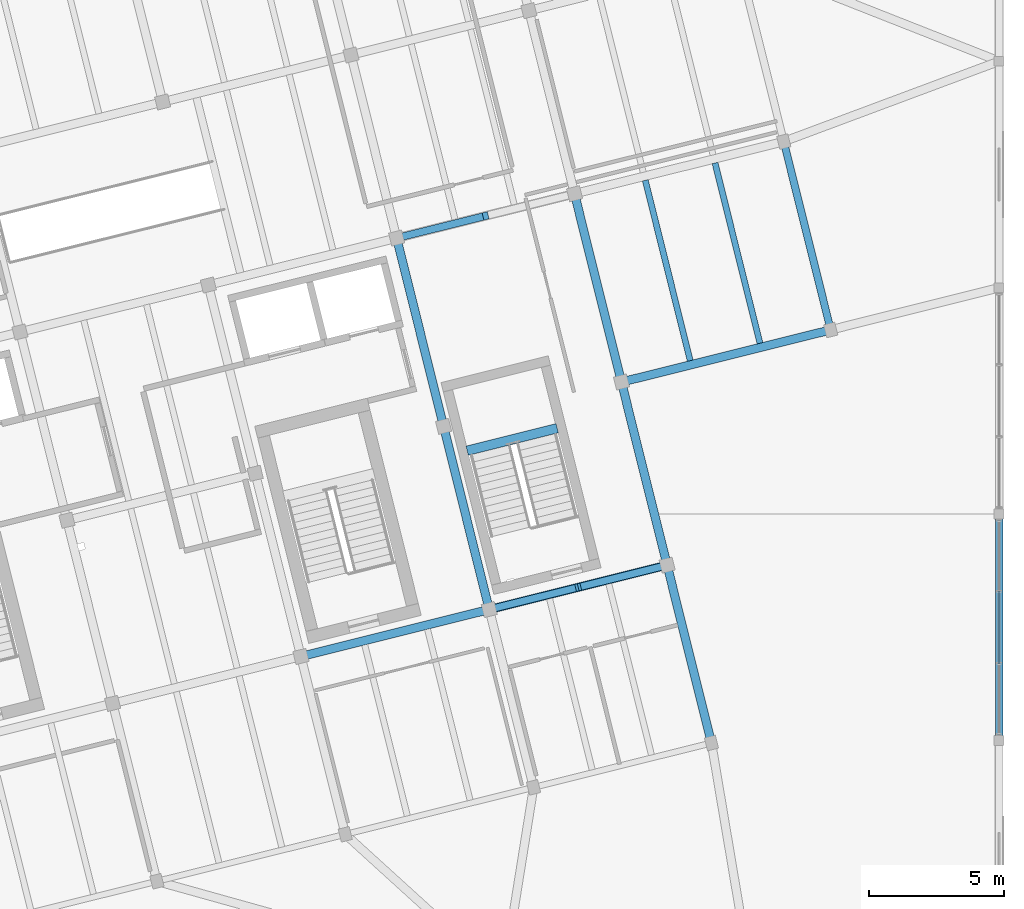
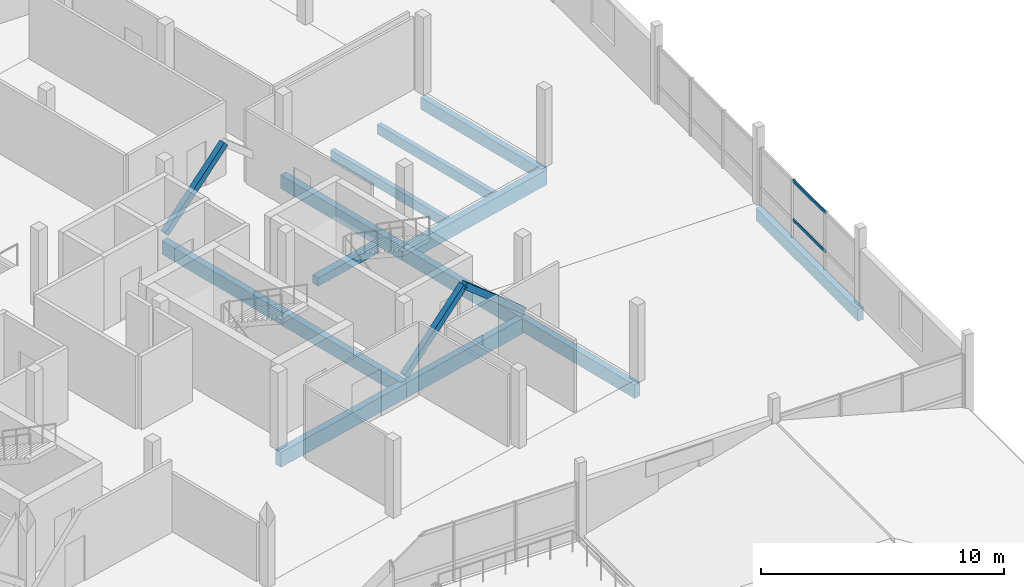
# One storey, part 20 of 39: 13 beams, 5 members, 1 element without a shape of its own.
"""IFC4 building model written with IfcOpenShell, lengths in metres."""

from ifc_helpers import new_model, si_unit, direction, frame, origin, origin_2d, place, context, subcontext, project, spatial, rectangle, hollow_rectangle, extrude, material, layer, layer_set, material_profile, profile_set, type_object, element, aggregate, save


model = new_model("IFC4")

# Units and contexts
model_context = context("Model", 3, precision=1e-05, world=origin(), true_north=direction((0.0, 1.0)))
body_context = subcontext(model_context, "Body", "Model", "MODEL_VIEW")
ifc_project = project(units=[si_unit("LENGTHUNIT", "METRE"), si_unit("AREAUNIT", "SQUARE_METRE"), si_unit("VOLUMEUNIT", "CUBIC_METRE"), si_unit("PLANEANGLEUNIT", "RADIAN"), si_unit("MASSUNIT", "GRAM", prefix="KILO")], contexts=[model_context])

# Site, building, storey
site_placement = place(None, origin())
site = spatial("IfcSite", under=ifc_project, at=site_placement, CompositionType="ELEMENT")
building_placement = place(site_placement, origin())
building = spatial("IfcBuilding", under=site, at=building_placement, Name="Meriwether Solvik Hall", CompositionType="ELEMENT")
storey_placement = place(building_placement, frame((0.0, 0.0, 22.199951171875)))
storey = spatial("IfcBuildingStorey", under=building, at=storey_placement, Name="L05", CompositionType="ELEMENT", Elevation=22.199951171875)

# Beams
ifc_material_1 = material(Name="Glulam Douglas-Fir 24F-V8 GL28h", Category="wood")
ifc_material_profile_1 = material_profile(ifc_material_1, rectangle(XDim=0.27294921875, YDim=0.610107421875, at=origin_2d()), Name="GLB-273X610")
ifc_profile_set_1 = profile_set([ifc_material_profile_1], Name="Glulam Douglas-Fir 24F-V8 GL28h")
beam_type_1 = type_object("IfcBeamType", Name="BM-GL-273X610", PredefinedType="SPANDREL", material=ifc_profile_set_1)
beam_1_placement = place(storey_placement, frame((114.199951171875, 50.0, -0.550048828125), z_axis=(0.0, 1.0, 0.0), x_axis=(-1.0, 0.0, 0.0)))
element("IfcBeam", 1, at=beam_1_placement, inside=storey, type_object=beam_type_1, Name="Podium Girder 13:F-G (L05)", PredefinedType="SPANDREL", context=body_context, shape_type="SweptSolid", body=[
    extrude(rectangle(XDim=0.27294921875, YDim=0.610107421875, at=origin_2d()), origin(), (0.0, 0.0, 1.0), 8.39990234375),
])
beam_2_placement = place(storey_placement, frame((107.95458984375, 65.234619140625, -0.550048828125), z_axis=(-0.241937193493, 0.970291911955, 0.0), x_axis=(-0.970291911955, -0.241937193493, 0.0)))
element("IfcBeam", 2, at=beam_2_placement, inside=storey, type_object=beam_type_1, Name="Tower Girder T7:TC-TD (L05)", PredefinedType="SPANDREL", context=body_context, shape_type="SweptSolid", body=[
    extrude(rectangle(XDim=0.27294921875, YDim=0.610107421875, at=origin_2d()), origin(), (0.0, 0.0, 1.0), 7.199951171875),
])
ifc_material_2 = material(Name="Glulam Douglas-Fir 24F-V8 GL28h", Category="wood")
ifc_material_profile_2 = material_profile(ifc_material_2, rectangle(XDim=0.31494140625, YDim=0.68505859375, at=origin_2d()), Name="GLB-315X685")
ifc_profile_set_2 = profile_set([ifc_material_profile_2], Name="Glulam Douglas-Fir 24F-V8 GL28h")
beam_type_2 = type_object("IfcBeamType", Name="BM-GL-315X685", PredefinedType="BEAM", material=ifc_profile_set_2)
beam_3_placement = place(storey_placement, frame((95.28759765625, 54.862060546875, -0.58740234375), z_axis=(-0.241936527961, 0.970292077901, 0.0), x_axis=(-0.970292077901, -0.241936527961, 0.0)))
element("IfcBeam", 3, at=beam_3_placement, inside=storey, type_object=beam_type_2, Name="Tower Girder T5:TB-TC (L05)", PredefinedType="BEAM", context=body_context, shape_type="SweptSolid", body=[
    extrude(rectangle(XDim=0.31494140625, YDim=0.68505859375, at=origin_2d()), origin(), (0.0, 0.0, 1.0), 7.000244140625),
])
beam_4_placement = place(storey_placement, frame((93.593994140625, 61.654296875, -0.58740234375), z_axis=(-0.241905269381, 0.970299871507, 0.0), x_axis=(-0.970299871507, -0.241905269381, 0.0)))
element("IfcBeam", 4, at=beam_4_placement, inside=storey, type_object=beam_type_2, Name="Tower Girder T5:TC-TD (L05)", PredefinedType="BEAM", context=body_context, shape_type="SweptSolid", body=[
    extrude(rectangle(XDim=0.31494140625, YDim=0.68505859375, at=origin_2d()), origin(), (0.0, 0.0, 1.0), 7.199951171875),
])
beam_5_placement = place(storey_placement, frame((103.53076171875, 49.9091796875, -0.58740234375), z_axis=(-0.2419526798, 0.970288050394, 0.0), x_axis=(-0.970288050394, -0.2419526798, 0.0)))
element("IfcBeam", 5, at=beam_5_placement, inside=storey, type_object=beam_type_2, Name="Tower Girder T6:TA-TB (L05)", PredefinedType="BEAM", context=body_context, shape_type="SweptSolid", body=[
    extrude(rectangle(XDim=0.31494140625, YDim=0.68505859375, at=origin_2d()), origin(), (0.0, 0.0, 1.0), 6.800048828125),
])
beam_6_placement = place(storey_placement, frame((101.885498046875, 56.507080078125, -0.58740234375), z_axis=(-0.241903692719, 0.970300264582, 0.0), x_axis=(-0.970300264582, -0.241903692719, 0.0)))
element("IfcBeam", 6, at=beam_6_placement, inside=storey, type_object=beam_type_2, Name="Tower Girder T6:TB-TC (L05)", PredefinedType="BEAM", context=body_context, shape_type="SweptSolid", body=[
    extrude(rectangle(XDim=0.31494140625, YDim=0.68505859375, at=origin_2d()), origin(), (0.0, 0.0, 1.0), 7.000244140625),
])
beam_7_placement = place(storey_placement, frame((100.192138671875, 63.29931640625, -0.58740234375), z_axis=(-0.241937193493, 0.970291911955, 0.0), x_axis=(-0.970291911955, -0.241937193493, 0.0)))
element("IfcBeam", 7, at=beam_7_placement, inside=storey, type_object=beam_type_2, Name="Tower Girder T6:TC-TD (L05)", PredefinedType="BEAM", context=body_context, shape_type="SweptSolid", body=[
    extrude(rectangle(XDim=0.31494140625, YDim=0.68505859375, at=origin_2d()), origin(), (0.0, 0.0, 1.0), 7.199951171875),
])
ifc_material_3 = material(Name="Glulam Douglas-Fir 24F-V8 GL28h", Category="wood")
ifc_material_profile_3 = material_profile(ifc_material_3, rectangle(XDim=0.31494140625, YDim=0.760009765625, at=origin_2d()), Name="GLB-315X760")
ifc_profile_set_3 = profile_set([ifc_material_profile_3], Name="Glulam Douglas-Fir 24F-V8 GL28h")
beam_type_3 = type_object("IfcBeamType", Name="BM-GL-315X760", PredefinedType="BEAM", material=ifc_profile_set_3)
beam_8_placement = place(storey_placement, frame((88.301513671875, 53.120361328125, -0.625), z_axis=(0.970299871507, 0.241905269381, 0.0), x_axis=(-0.241905269381, 0.970299871507, 0.0)))
element("IfcBeam", 8, at=beam_8_placement, inside=storey, type_object=beam_type_3, Name="Tower Girder TB:T4-T5 (L05)", PredefinedType="BEAM", context=body_context, shape_type="SweptSolid", body=[
    extrude(rectangle(XDim=0.31494140625, YDim=0.760009765625, at=origin_2d()), origin(), (0.0, 0.0, 1.0), 7.199951171875),
])
beam_9_placement = place(storey_placement, frame((95.28759765625, 54.862060546875, -0.625), z_axis=(0.970296478685, 0.241918877831, 0.0), x_axis=(-0.241918877831, 0.970296478685, 0.0)))
element("IfcBeam", 9, at=beam_9_placement, inside=storey, type_object=beam_type_3, Name="Tower Girder TB:T5-T6 (L05)", PredefinedType="BEAM", context=body_context, shape_type="SweptSolid", body=[
    extrude(rectangle(XDim=0.31494140625, YDim=0.760009765625, at=origin_2d()), origin(), (0.0, 0.0, 1.0), 6.7998046875),
])
beam_10_placement = place(storey_placement, frame((100.192138671875, 63.29931640625, -0.625), z_axis=(0.970298475929, 0.241910867076, 0.0), x_axis=(-0.241910867076, 0.970298475929, 0.0)))
element("IfcBeam", 10, at=beam_10_placement, inside=storey, type_object=beam_type_3, Name="Tower Girder TC:T6-T7 (L05)", PredefinedType="BEAM", context=body_context, shape_type="SweptSolid", body=[
    extrude(rectangle(XDim=0.31494140625, YDim=0.760009765625, at=origin_2d()), origin(), (0.0, 0.0, 1.0), 8.0),
])
ifc_material_4 = material(Name="Concrete C40/50", Category="concrete")
ifc_material_profile_4 = material_profile(ifc_material_4, rectangle(XDim=0.35009765625, YDim=0.419921875, at=origin_2d()), Name="RCB-350X420")
ifc_profile_set_4 = profile_set([ifc_material_profile_4], Name="Concrete C40/50")
beam_type_4 = type_object("IfcBeamType", Name="BM-LND-RC-350X420", PredefinedType="BEAM", material=ifc_profile_set_4)
beam_11_placement = place(storey_placement, frame((94.4677734375, 60.75390625, 1.5400390625), z_axis=(0.970309259708, 0.2418676095, 0.0), x_axis=(-0.2418676095, 0.970309259708, 0.0)))
element("IfcBeam", 11, at=beam_11_placement, inside=storey, type_object=beam_type_4, Name="Stair ST-03 Half-Landing Header Beam (L05)", PredefinedType="BEAM", context=body_context, shape_type="SweptSolid", body=[
    extrude(rectangle(XDim=0.35009765625, YDim=0.419921875, at=origin_2d()), origin(), (0.0, 0.0, 1.0), 3.43994140625),
])

# Curtain wall, members
ifc_material_5 = material(Name="Thermally Broken Anodised Aluminium 6063-T6 and Low-E Glass", Category="aluminium")
ifc_layer = layer(ifc_material_5, 0.179931640625)
ifc_layer_set = layer_set([ifc_layer], Name="Thermally Broken Anodised Aluminium 6063-T6 and Low-E Glass")
curtain_wall_type = type_object("IfcCurtainWallType", Name="CW-UNIT-E", PredefinedType="USERDEFINED", material=ifc_layer_set)
curtain_wall_placement = place(storey_placement, origin())
curtain_wall = element("IfcCurtainWall", 12, at=curtain_wall_placement, inside=storey, type_object=curtain_wall_type, Name="Curtain Wall wing_Y13_6_19 (L05)", ObjectType="UNITISED CURTAIN WALL", PredefinedType="USERDEFINED")
ifc_material_6 = material(Name="Anodised Aluminium 6063-T6", Category="aluminium")
ifc_material_profile_5 = material_profile(ifc_material_6, hollow_rectangle(XDim=0.070068359375, YDim=0.14990234375, WallThickness=0.0048828125, at=origin_2d()), Name="CWT-70X150")
ifc_profile_set_5 = profile_set([ifc_material_profile_5], Name="Anodised Aluminium 6063-T6")
member_type_1 = type_object("IfcMemberType", Name="CW-TRN-70X150", PredefinedType="USERDEFINED", material=ifc_profile_set_5)
member_1_placement = place(storey_placement, frame((114.199951171875, 55.53515625, 0.864013671875), z_axis=(0.0, -1.0, 0.0), x_axis=(1.0, 0.0, 0.0)))
member_1 = element("IfcMember", 13, at=member_1_placement, type_object=member_type_1, Name="Curtain Wall Transom 2-sill", ObjectType="TRANSOM", PredefinedType="USERDEFINED", context=body_context, shape_type="SweptSolid", body=[
    extrude(hollow_rectangle(XDim=0.070068359375, YDim=0.14990234375, WallThickness=0.0048828125, at=origin_2d()), origin(), (0.0, 0.0, 1.0), 2.67041015625),
])
member_2_placement = place(storey_placement, frame((114.199951171875, 55.53515625, 2.820068359375), z_axis=(0.0, -1.0, 0.0), x_axis=(1.0, 0.0, 0.0)))
member_2 = element("IfcMember", 14, at=member_2_placement, type_object=member_type_1, Name="Curtain Wall Transom 2-head", ObjectType="TRANSOM", PredefinedType="USERDEFINED", context=body_context, shape_type="SweptSolid", body=[
    extrude(hollow_rectangle(XDim=0.070068359375, YDim=0.14990234375, WallThickness=0.0048828125, at=origin_2d()), origin(), (0.0, 0.0, 1.0), 2.67041015625),
])
aggregate(curtain_wall, [member_1, member_2])

# Beams
ifc_material_7 = material(Name="Glulam Douglas-Fir 24F-V8 GL28h", Category="wood")
ifc_material_profile_6 = material_profile(ifc_material_7, rectangle(XDim=0.221923828125, YDim=0.4951171875, at=origin_2d()), Name="GLJ-222X495")
ifc_profile_set_6 = profile_set([ifc_material_profile_6], Name="Glulam Douglas-Fir 24F-V8 GL28h")
beam_type_5 = type_object("IfcBeamType", Name="JST-GL-222X495", PredefinedType="JOIST", material=ifc_profile_set_6)
for number, where, z_axis, x_axis, name in (
    (15, (102.74267578125, 64.09228515625, -0.492431640625), (-0.241910719241, 0.970298512787, 0.0), (-0.970298512787, -0.241910719241, 0.0), "Glulam Floor Joist T6/TC-J1 (L05)"),
    (16, (105.330078125, 64.737548828125, -0.492431640625), (-0.241910719241, 0.970298512787, 0.0), (-0.970298512787, -0.241910719241, 0.0), "Glulam Floor Joist T6/TC-J2 (L05)"),
):
    element("IfcBeam", number, at=place(storey_placement, frame(where, z_axis=z_axis, x_axis=x_axis)), inside=storey, type_object=beam_type_5, Name=name, PredefinedType="JOIST", context=body_context, shape_type="SweptSolid", body=[
        extrude(rectangle(XDim=0.221923828125, YDim=0.4951171875, at=origin_2d()), origin(), (0.0, 0.0, 1.0), 6.89501953125),
    ])

# Members
ifc_material_8 = material(Name="Glulam Douglas-Fir 24F-V8 GL28h", Category="wood")
ifc_material_profile_7 = material_profile(ifc_material_8, rectangle(XDim=0.27294921875, YDim=0.304931640625, at=origin_2d()), Name="GLM-273X305")
ifc_profile_set_7 = profile_set([ifc_material_profile_7], Name="Glulam Douglas-Fir 24F-V8 GL28h")
member_type_2 = type_object("IfcMemberType", Name="MEM-BR-GL273", PredefinedType="BRACE", material=ifc_profile_set_7)
member_3_placement = place(storey_placement, frame((95.28759765625, 54.862060546875, 0.050048828125), z_axis=(0.737179349516, 0.183790218939, 0.65022131776), x_axis=(-0.24191045034, 0.970298579828, 0.0)))
element("IfcMember", 17, at=member_3_placement, inside=storey, type_object=member_type_2, Name="Tower Chevron Brace L05-B3A", PredefinedType="BRACE", context=body_context, shape_type="SweptSolid", body=[
    extrude(rectangle(XDim=0.27294921875, YDim=0.304931640625, at=origin_2d()), origin(), (0.0, 0.0, 1.0), 4.475341796875),
])
member_4_placement = place(storey_placement, frame((101.885498046875, 56.507080078125, 0.050048828125), z_axis=(-0.737154440778, -0.183797610345, 0.650247467409), x_axis=(0.241927305891, -0.970294377323, 0.0)))
element("IfcMember", 18, at=member_4_placement, inside=storey, type_object=member_type_2, Name="Tower Chevron Brace L05-B3B", PredefinedType="BRACE", context=body_context, shape_type="SweptSolid", body=[
    extrude(rectangle(XDim=0.27294921875, YDim=0.304931640625, at=origin_2d()), origin(), (0.0, 0.0, 1.0), 4.47509765625),
])
member_5_placement = place(storey_placement, frame((91.852294921875, 68.640380859375, 0.050048828125), z_axis=(0.737179349516, 0.183790218939, 0.65022131776), x_axis=(-0.24191045034, 0.970298579828, 0.0)))
element("IfcMember", 19, at=member_5_placement, inside=storey, type_object=member_type_2, Name="Tower Chevron Brace L05-B4A", PredefinedType="BRACE", context=body_context, shape_type="SweptSolid", body=[
    extrude(rectangle(XDim=0.27294921875, YDim=0.304931640625, at=origin_2d()), origin(), (0.0, 0.0, 1.0), 4.475341796875),
])

save(model, "model.ifc")
